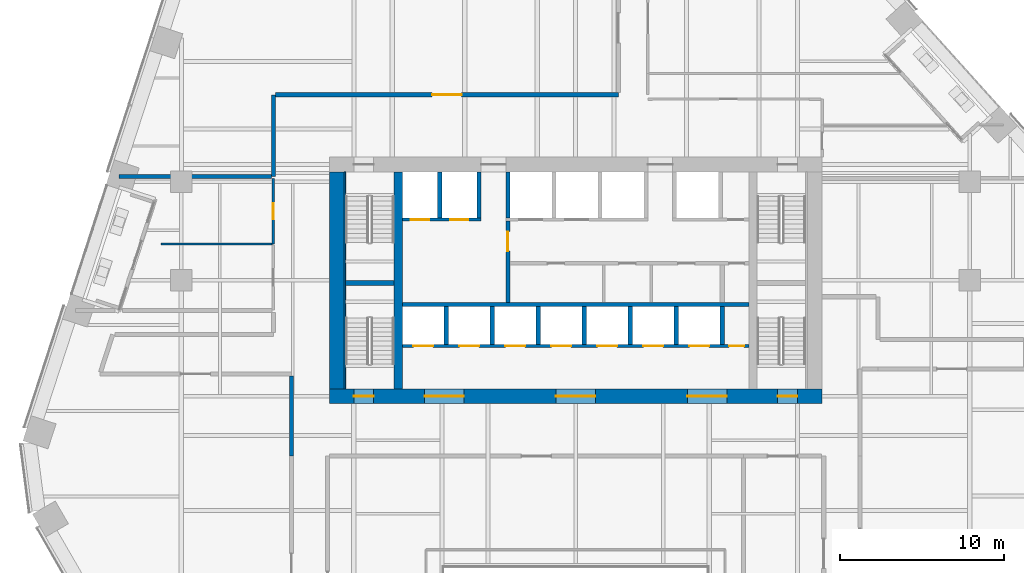
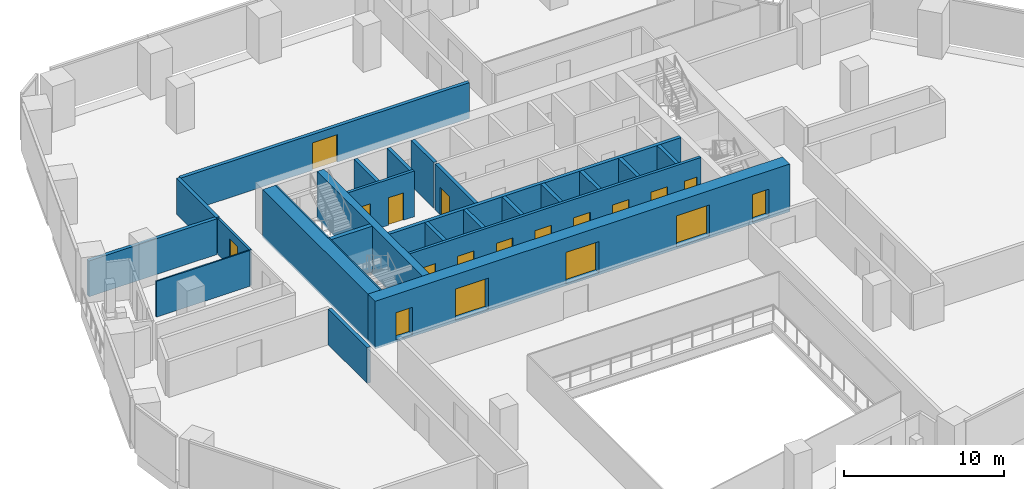
# One storey, part 21 of 28: 25 walls, 18 doors, 18 openings.
"""IFC4 building model written with IfcOpenShell, lengths in metres."""

from ifc_helpers import new_model, si_unit, direction, frame, frame_2d, origin, place, context, subcontext, project, spatial, rectangle, extrude, material, layer, layer_set, type_object, element, fill, save


model = new_model("IFC4")

# Units and contexts
model_context = context("Model", 3, precision=1e-05, world=origin(), true_north=direction((0.0, 1.0)))
body_context = subcontext(model_context, "Body", "Model", "MODEL_VIEW")
ifc_project = project(units=[si_unit("LENGTHUNIT", "METRE"), si_unit("AREAUNIT", "SQUARE_METRE"), si_unit("VOLUMEUNIT", "CUBIC_METRE"), si_unit("PLANEANGLEUNIT", "RADIAN"), si_unit("MASSUNIT", "GRAM", prefix="KILO")], contexts=[model_context])

# Site, building, storey
site_placement = place(None, origin())
site = spatial("IfcSite", under=ifc_project, at=site_placement, CompositionType="ELEMENT")
building_placement = place(site_placement, origin())
building = spatial("IfcBuilding", under=site, at=building_placement, Name="Isthmus Gate Tower", CompositionType="ELEMENT")
storey_placement = place(building_placement, frame((0.0, 0.0, 84.300048828125)))
storey = spatial("IfcBuildingStorey", under=building, at=storey_placement, Name="L19", CompositionType="ELEMENT", Elevation=84.300048828125)

# Wall
ifc_material_1 = material(Name="Double-leaf acoustic stud wall, fire-rated", Category="gypsum")
ifc_layer_1 = layer(ifc_material_1, 0.25)
ifc_layer_set_1 = layer_set([ifc_layer_1], Name="ACOUSTIC WALL 250 60 MIN")
wall_type_1 = type_object("IfcWallType", Name="ACOUSTIC WALL 250 60 MIN", PredefinedType="PARTITIONING", material=ifc_layer_set_1)
wall_1_placement = place(storey_placement, frame((-18.39990234375, 13.830078125, 0.0), z_axis=(0.0, 0.0, 1.0), x_axis=(0.0, 1.0, 0.0)))
element("IfcWall", 1, at=wall_1_placement, inside=storey, type_object=wall_type_1, Name="L19 Acoustic Wall 250 60 Min", PredefinedType="PARTITIONING", context=body_context, shape_type="SweptSolid", body=[
    extrude(rectangle(XDim=4.969970703125, YDim=0.25, at=frame_2d((2.48486328125, 0.0))), origin(), (0.0, 0.0, 1.0), 2.7412109375),
])

# Wall, opening, door
wall_2_placement = place(storey_placement, frame((-18.27490234375, 18.800048828125, 0.0), z_axis=(0.0, 0.0, 1.0), x_axis=(1.0, 0.0, 0.0)))
wall_2 = element("IfcWall", 2, at=wall_2_placement, inside=storey, type_object=wall_type_1, Name="L19 Acoustic Wall 250 60 Min", PredefinedType="PARTITIONING", context=body_context, shape_type="SweptSolid", body=[
    extrude(rectangle(XDim=20.875, YDim=0.25, at=frame_2d((10.4375, 0.0))), origin(), (0.0, 0.0, 1.0), 2.7412109375),
])
opening_1_placement = place(wall_2_placement, frame((9.53759765625, 0.0, 0.0)))
opening_1 = element("IfcOpeningElement", 3, at=opening_1_placement, cuts=wall_2, Name="Opening DT-T2A-01", PredefinedType="OPENING", context=body_context, shape_type="SweptSolid", body=[
    extrude(rectangle(XDim=1.800048828125, YDim=2.10009765625, at=frame_2d((0.89990234375, 1.050048828125))), frame((0.0, 0.135009765625, 0.0), z_axis=(0.0, -1.0, 0.0), x_axis=(1.0, 0.0, 0.0)), (0.0, 0.0, 1.0), 0.27001953125),
])
ifc_material_2 = material(Name="Solid core timber door leaf, fire-rated", Category="wood")
door_type_1 = type_object("IfcDoorType", Name="FIRE DOOR ACOUSTIC ROOM 1800 X 2100 60 MIN", OperationType="DOUBLE_DOOR_DOUBLE_SWING", PredefinedType="DOOR", material=ifc_material_2)
door_1_placement = place(opening_1_placement, origin())
door_1 = element("IfcDoor", 4, at=door_1_placement, inside=storey, type_object=door_type_1, Name="L19 room door", OperationType="DOUBLE_DOOR_DOUBLE_SWING", OverallHeight=2.10009765625, OverallWidth=1.800048828125, PredefinedType="DOOR", context=body_context, shape_type="SweptSolid", body=[
    extrude(rectangle(XDim=1.800048828125, YDim=2.10009765625, at=frame_2d((0.89990234375, 1.050048828125))), frame((0.0, 0.02490234375, 0.0), z_axis=(0.0, -1.0, 0.0), x_axis=(1.0, 0.0, 0.0)), (0.0, 0.0, 1.0), 0.050048828125),
])
fill(opening_1, door_1)

# Walls
wall_3_placement = place(storey_placement, frame((-27.787109375, 13.830078125, 0.0), z_axis=(0.0, 0.0, 1.0), x_axis=(1.0, 0.0, 0.0)))
element("IfcWall", 5, at=wall_3_placement, inside=storey, type_object=wall_type_1, Name="L19 Acoustic Wall 250 60 Min", PredefinedType="PARTITIONING", context=body_context, shape_type="SweptSolid", body=[
    extrude(rectangle(XDim=9.26220703125, YDim=0.25, at=frame_2d((4.631103515625, 0.0))), origin(), (0.0, 0.0, 1.0), 2.7412109375),
])
wall_4_placement = place(storey_placement, frame((-17.298095703125, -3.201904296875, 0.0), z_axis=(0.0, 0.0, 1.0), x_axis=(0.0, 1.0, 0.0)))
element("IfcWall", 6, at=wall_4_placement, inside=storey, type_object=wall_type_1, Name="L19 Acoustic Wall 250 60 Min", PredefinedType="PARTITIONING", context=body_context, shape_type="SweptSolid", body=[
    extrude(rectangle(XDim=4.87890625, YDim=0.25, at=frame_2d((2.439453125, 0.0))), origin(), (0.0, 0.0, 1.0), 2.7412109375),
])

# Wall, opening, door
ifc_material_3 = material(Name="Gypsum board on steel studs, fire-rated", Category="steel")
ifc_layer_2 = layer(ifc_material_3, 0.14990234375)
ifc_layer_set_2 = layer_set([ifc_layer_2], Name="CORRIDOR WALL 150 60 MIN")
wall_type_2 = type_object("IfcWallType", Name="CORRIDOR WALL 150 60 MIN", PredefinedType="PARTITIONING", material=ifc_layer_set_2)
wall_5_placement = place(storey_placement, frame((-18.39990234375, 9.714111328125, 0.0), z_axis=(0.0, 0.0, 1.0), x_axis=(0.0, 1.0, 0.0)))
wall_5 = element("IfcWall", 7, at=wall_5_placement, inside=storey, type_object=wall_type_2, Name="L19 Corridor Wall 150 60 Min", PredefinedType="PARTITIONING", context=body_context, shape_type="SweptSolid", body=[
    extrude(rectangle(XDim=3.990966796875, YDim=0.14990234375, at=frame_2d((1.99560546875, 0.0))), origin(), (0.0, 0.0, 1.0), 2.7412109375),
])
opening_2_placement = place(wall_5_placement, frame((1.49560546875, 0.0, 0.0)))
opening_2 = element("IfcOpeningElement", 8, at=opening_2_placement, cuts=wall_5, Name="Opening DT-T2A-06", PredefinedType="OPENING", context=body_context, shape_type="SweptSolid", body=[
    extrude(rectangle(XDim=1.0, YDim=2.10009765625, at=frame_2d((0.5, 1.050048828125))), frame((0.0, 0.0849609375, 0.0), z_axis=(0.0, -1.0, 0.0), x_axis=(1.0, 0.0, 0.0)), (0.0, 0.0, 1.0), 0.169921875),
])
ifc_material_4 = material(Name="Solid core timber door leaf, fire-rated", Category="wood")
door_type_2 = type_object("IfcDoorType", Name="FIRE DOOR ROOM 1000 X 2100 60 MIN", OperationType="SINGLE_SWING_LEFT", PredefinedType="DOOR", material=ifc_material_4)
door_2_placement = place(opening_2_placement, origin())
door_2 = element("IfcDoor", 9, at=door_2_placement, inside=storey, type_object=door_type_2, Name="L19 room door", OperationType="SINGLE_SWING_RIGHT", OverallHeight=2.10009765625, OverallWidth=1.0, PredefinedType="DOOR", context=body_context, shape_type="SweptSolid", body=[
    extrude(rectangle(XDim=1.0, YDim=2.10009765625, at=frame_2d((0.5, 1.050048828125))), frame((0.0, 0.02490234375, 0.0), z_axis=(0.0, -1.0, 0.0), x_axis=(1.0, 0.0, 0.0)), (0.0, 0.0, 1.0), 0.050048828125),
])
fill(opening_2, door_2)

ifc_material_5 = material(Name="Fire-rated blockwork masonry, 15 MPa", Category="masonry")
ifc_layer_3 = layer(ifc_material_5, 0.25)
ifc_layer_set_3 = layer_set([ifc_layer_3], Name="FIRE-FIGHTING LOBBY WALL 250 90 MIN")
wall_type_3 = type_object("IfcWallType", Name="FIRE-FIGHTING LOBBY WALL 250 90 MIN", PredefinedType="PARTITIONING", material=ifc_layer_set_3)
wall_6_placement = place(storey_placement, frame((-4.125, 6.14990234375, 0.0), z_axis=(0.0, 0.0, 1.0), x_axis=(0.0, 1.0, 0.0)))
wall_6 = element("IfcWall", 10, at=wall_6_placement, inside=storey, type_object=wall_type_3, Name="L19 FIRE-FIGHTING LOBBY WALL 250 90 MIN", PredefinedType="PARTITIONING", context=body_context, shape_type="SweptSolid", body=[
    extrude(rectangle(XDim=4.9501953125, YDim=0.25, at=frame_2d((2.47509765625, 0.0))), origin(), (0.0, 0.0, 1.0), 3.5),
])
opening_3_placement = place(wall_6_placement, frame((3.125, 0.0, 0.0)))
opening_3 = element("IfcOpeningElement", 11, at=opening_3_placement, cuts=wall_6, Name="Opening DC-A04-01", PredefinedType="OPENING", context=body_context, shape_type="SweptSolid", body=[
    extrude(rectangle(XDim=1.199951171875, YDim=2.10009765625, at=frame_2d((0.60009765625, 1.050048828125))), frame((0.0, 0.135009765625, 0.0), z_axis=(0.0, -1.0, 0.0), x_axis=(1.0, 0.0, 0.0)), (0.0, 0.0, 1.0), 0.27001953125),
])
ifc_material_6 = material(Name="Steel door leaf, fire-rated", Category="steel")
door_type_3 = type_object("IfcDoorType", Name="LOBBY FIRE DOOR 1200 X 2100 90 MIN", OperationType="DOUBLE_DOOR_SINGLE_SWING", PredefinedType="DOOR", material=ifc_material_6)
door_3_placement = place(opening_3_placement, origin())
door_3 = element("IfcDoor", 12, at=door_3_placement, inside=storey, type_object=door_type_3, Name="Fire-fighting Lobby Door", OperationType="SINGLE_SWING_LEFT", OverallHeight=2.10009765625, OverallWidth=1.199951171875, PredefinedType="DOOR", context=body_context, shape_type="SweptSolid", body=[
    extrude(rectangle(XDim=1.199951171875, YDim=2.10009765625, at=frame_2d((0.60009765625, 1.050048828125))), frame((0.0, 0.02490234375, 0.0), z_axis=(0.0, -1.0, 0.0), x_axis=(1.0, 0.0, 0.0)), (0.0, 0.0, 1.0), 0.050048828125),
])
fill(opening_3, door_3)

# Wall
ifc_material_7 = material(Name="Concrete f'c 70 MPa", Category="concrete")
ifc_layer_4 = layer(ifc_material_7, 0.5)
ifc_layer_set_4 = layer_set([ifc_layer_4], Name="RC CORE SPINE WALL 500 F'C 70")
wall_type_4 = type_object("IfcWallType", Name="RC CORE SPINE WALL 500 F'C 70", PredefinedType="SOLIDWALL", material=ifc_layer_set_4)
wall_7_placement = place(storey_placement, frame((-10.800048828125, 0.89990234375, -0.150146484375), z_axis=(0.0, 0.0, 1.0), x_axis=(0.0, 1.0, 0.0)))
element("IfcWall", 13, at=wall_7_placement, inside=storey, type_object=wall_type_4, Name="str-corewall-L19-SPW", PredefinedType="SOLIDWALL", context=body_context, shape_type="SweptSolid", body=[
    extrude(rectangle(XDim=13.2001953125, YDim=0.5, at=frame_2d((6.60009765625, 0.0))), origin(), (0.0, 0.0, 1.0), 3.650146484375),
])

# Wall, openings, doors
ifc_material_8 = material(Name="Concrete f'c 70 MPa", Category="concrete")
ifc_layer_5 = layer(ifc_material_8, 0.89990234375)
ifc_layer_set_5 = layer_set([ifc_layer_5], Name="RC CORE WALL 900 F'C 70")
wall_type_5 = type_object("IfcWallType", Name="RC CORE WALL 900 F'C 70", PredefinedType="SOLIDWALL", material=ifc_layer_set_5)
wall_8_placement = place(storey_placement, frame((-15.0, 0.449951171875, -0.150146484375), z_axis=(0.0, 0.0, 1.0), x_axis=(1.0, 0.0, 0.0)))
wall_8 = element("IfcWall", 14, at=wall_8_placement, inside=storey, type_object=wall_type_5, Name="str-corewall-L19-S", PredefinedType="SOLIDWALL", context=body_context, shape_type="SweptSolid", body=[
    extrude(rectangle(XDim=30.0, YDim=0.89990234375, at=frame_2d((15.0, 0.0))), origin(), (0.0, 0.0, 1.0), 3.650146484375),
])
opening_4_placement = place(wall_8_placement, frame((5.800048828125, 0.0, 0.14990234375)))
opening_4 = element("IfcOpeningElement", 15, at=opening_4_placement, cuts=wall_8, Name="Opening DC-A04-08", PredefinedType="OPENING", context=body_context, shape_type="SweptSolid", body=[
    extrude(rectangle(XDim=2.39990234375, YDim=2.39990234375, at=frame_2d((1.199951171875, 1.199951171875))), frame((0.0, 0.4599609375, 0.0), z_axis=(0.0, -1.0, 0.0), x_axis=(1.0, 0.0, 0.0)), (0.0, 0.0, 1.0), 0.919921875),
])
opening_5_placement = place(wall_8_placement, frame((13.800048828125, 0.0, 0.14990234375)))
opening_5 = element("IfcOpeningElement", 16, at=opening_5_placement, cuts=wall_8, Name="Opening DC-A04-09", PredefinedType="OPENING", context=body_context, shape_type="SweptSolid", body=[
    extrude(rectangle(XDim=2.39990234375, YDim=2.39990234375, at=frame_2d((1.199951171875, 1.199951171875))), frame((0.0, 0.4599609375, 0.0), z_axis=(0.0, -1.0, 0.0), x_axis=(1.0, 0.0, 0.0)), (0.0, 0.0, 1.0), 0.919921875),
])
opening_6_placement = place(wall_8_placement, frame((21.800048828125, 0.0, 0.14990234375)))
opening_6 = element("IfcOpeningElement", 17, at=opening_6_placement, cuts=wall_8, Name="Opening DC-A04-10", PredefinedType="OPENING", context=body_context, shape_type="SweptSolid", body=[
    extrude(rectangle(XDim=2.39990234375, YDim=2.39990234375, at=frame_2d((1.199951171875, 1.199951171875))), frame((0.0, 0.4599609375, 0.0), z_axis=(0.0, -1.0, 0.0), x_axis=(1.0, 0.0, 0.0)), (0.0, 0.0, 1.0), 0.919921875),
])
opening_7_placement = place(wall_8_placement, frame((1.5, 0.0, 0.14990234375)))
opening_7 = element("IfcOpeningElement", 18, at=opening_7_placement, cuts=wall_8, Name="Opening DC-A04-15", PredefinedType="OPENING", context=body_context, shape_type="SweptSolid", body=[
    extrude(rectangle(XDim=1.199951171875, YDim=2.10009765625, at=frame_2d((0.60009765625, 1.050048828125))), frame((0.0, 0.4599609375, 0.0), z_axis=(0.0, -1.0, 0.0), x_axis=(1.0, 0.0, 0.0)), (0.0, 0.0, 1.0), 0.919921875),
])
opening_8_placement = place(wall_8_placement, frame((27.300048828125, 0.0, 0.14990234375)))
opening_8 = element("IfcOpeningElement", 19, at=opening_8_placement, cuts=wall_8, Name="Opening DC-A04-16", PredefinedType="OPENING", context=body_context, shape_type="SweptSolid", body=[
    extrude(rectangle(XDim=1.199951171875, YDim=2.10009765625, at=frame_2d((0.60009765625, 1.050048828125))), frame((0.0, 0.4599609375, 0.0), z_axis=(0.0, -1.0, 0.0), x_axis=(1.0, 0.0, 0.0)), (0.0, 0.0, 1.0), 0.919921875),
])
ifc_material_9 = material(Name="Laminated safety glass in steel frame, fire-rated", Category="steel")
door_type_4 = type_object("IfcDoorType", Name="LOBBY ENTRANCE FIRE DOOR 2400 X 2400 60 MIN", OperationType="DOUBLE_DOOR_DOUBLE_SWING", PredefinedType="DOOR", material=ifc_material_9)
door_4_placement = place(opening_4_placement, origin())
door_4 = element("IfcDoor", 20, at=door_4_placement, inside=storey, type_object=door_type_4, Name="Lobby Entrance PS-W", OperationType="DOUBLE_DOOR_DOUBLE_SWING", OverallHeight=2.39990234375, OverallWidth=2.39990234375, PredefinedType="DOOR", context=body_context, shape_type="SweptSolid", body=[
    extrude(rectangle(XDim=2.39990234375, YDim=2.39990234375, at=frame_2d((1.199951171875, 1.199951171875))), frame((0.0, 0.02490234375, 0.0), z_axis=(0.0, -1.0, 0.0), x_axis=(1.0, 0.0, 0.0)), (0.0, 0.0, 1.0), 0.050048828125),
])
fill(opening_4, door_4)
door_5_placement = place(opening_5_placement, origin())
door_5 = element("IfcDoor", 21, at=door_5_placement, inside=storey, type_object=door_type_4, Name="Lobby Entrance PS-C", OperationType="DOUBLE_DOOR_DOUBLE_SWING", OverallHeight=2.39990234375, OverallWidth=2.39990234375, PredefinedType="DOOR", context=body_context, shape_type="SweptSolid", body=[
    extrude(rectangle(XDim=2.39990234375, YDim=2.39990234375, at=frame_2d((1.199951171875, 1.199951171875))), frame((0.0, 0.02490234375, 0.0), z_axis=(0.0, -1.0, 0.0), x_axis=(1.0, 0.0, 0.0)), (0.0, 0.0, 1.0), 0.050048828125),
])
fill(opening_5, door_5)
door_6_placement = place(opening_6_placement, origin())
door_6 = element("IfcDoor", 22, at=door_6_placement, inside=storey, type_object=door_type_4, Name="Lobby Entrance PS-E", OperationType="DOUBLE_DOOR_DOUBLE_SWING", OverallHeight=2.39990234375, OverallWidth=2.39990234375, PredefinedType="DOOR", context=body_context, shape_type="SweptSolid", body=[
    extrude(rectangle(XDim=2.39990234375, YDim=2.39990234375, at=frame_2d((1.199951171875, 1.199951171875))), frame((0.0, 0.02490234375, 0.0), z_axis=(0.0, -1.0, 0.0), x_axis=(1.0, 0.0, 0.0)), (0.0, 0.0, 1.0), 0.050048828125),
])
fill(opening_6, door_6)
ifc_material_10 = material(Name="Steel door leaf, fire-rated", Category="steel")
door_type_5 = type_object("IfcDoorType", Name="STAIR FIRE DOOR 1200 X 2100 90 MIN", OperationType="SINGLE_SWING_LEFT", PredefinedType="DOOR", material=ifc_material_10)
door_7_placement = place(opening_7_placement, origin())
door_7 = element("IfcDoor", 23, at=door_7_placement, inside=storey, type_object=door_type_5, Name="Exit Stair 7 Door", OperationType="SINGLE_SWING_LEFT", OverallHeight=2.10009765625, OverallWidth=1.199951171875, PredefinedType="DOOR", context=body_context, shape_type="SweptSolid", body=[
    extrude(rectangle(XDim=1.199951171875, YDim=2.10009765625, at=frame_2d((0.60009765625, 1.050048828125))), frame((0.0, 0.02490234375, 0.0), z_axis=(0.0, -1.0, 0.0), x_axis=(1.0, 0.0, 0.0)), (0.0, 0.0, 1.0), 0.050048828125),
])
fill(opening_7, door_7)
door_8_placement = place(opening_8_placement, origin())
door_8 = element("IfcDoor", 24, at=door_8_placement, inside=storey, type_object=door_type_5, Name="Exit Stair 8 Door", OperationType="SINGLE_SWING_RIGHT", OverallHeight=2.10009765625, OverallWidth=1.199951171875, PredefinedType="DOOR", context=body_context, shape_type="SweptSolid", body=[
    extrude(rectangle(XDim=1.199951171875, YDim=2.10009765625, at=frame_2d((0.60009765625, 1.050048828125))), frame((0.0, 0.02490234375, 0.0), z_axis=(0.0, -1.0, 0.0), x_axis=(1.0, 0.0, 0.0)), (0.0, 0.0, 1.0), 0.050048828125),
])
fill(opening_8, door_8)

# Walls
wall_9_placement = place(storey_placement, frame((-14.550048828125, 0.89990234375, -0.150146484375), z_axis=(0.0, 0.0, 1.0), x_axis=(0.0, 1.0, 0.0)))
element("IfcWall", 25, at=wall_9_placement, inside=storey, type_object=wall_type_5, Name="str-corewall-L19-W", PredefinedType="SOLIDWALL", context=body_context, shape_type="SweptSolid", body=[
    extrude(rectangle(XDim=13.2001953125, YDim=0.89990234375, at=frame_2d((6.60009765625, 0.0))), origin(), (0.0, 0.0, 1.0), 3.650146484375),
])
ifc_material_11 = material(Name="Gypsum board on steel studs, fire-rated", Category="steel")
ifc_layer_6 = layer(ifc_material_11, 0.10009765625)
ifc_layer_set_6 = layer_set([ifc_layer_6], Name="ROOM PARTITION 100 30 MIN")
wall_type_6 = type_object("IfcWallType", Name="ROOM PARTITION 100 30 MIN", PredefinedType="PARTITIONING", material=ifc_layer_set_6)
wall_10_placement = place(storey_placement, frame((-25.237060546875, 9.714111328125, 0.0), z_axis=(0.0, 0.0, 1.0), x_axis=(1.0, 0.0, 0.0)))
element("IfcWall", 26, at=wall_10_placement, inside=storey, type_object=wall_type_6, Name="L19 Room Partition 100 30 Min", PredefinedType="PARTITIONING", context=body_context, shape_type="SweptSolid", body=[
    extrude(rectangle(XDim=6.761962890625, YDim=0.10009765625, at=frame_2d((3.380859375, 0.0))), origin(), (0.0, 0.0, 1.0), 2.7412109375),
])

# Wall, openings, doors
ifc_material_12 = material(Name="Fire-rated blockwork masonry, 15 MPa", Category="masonry")
ifc_layer_7 = layer(ifc_material_12, 0.199951171875)
ifc_layer_set_7 = layer_set([ifc_layer_7], Name="SHAFT FRONT WALL 200 120 MIN")
wall_type_7 = type_object("IfcWallType", Name="SHAFT FRONT WALL 200 120 MIN", PredefinedType="PARTITIONING", material=ifc_layer_set_7)
wall_11_placement = place(storey_placement, frame((-10.550048828125, 3.5, 0.0), z_axis=(0.0, 0.0, 1.0), x_axis=(1.0, 0.0, 0.0)))
wall_11 = element("IfcWall", 27, at=wall_11_placement, inside=storey, type_object=wall_type_7, Name="L19 SHAFT FRONT WALL 200 120 MIN", PredefinedType="PARTITIONING", context=body_context, shape_type="SweptSolid", body=[
    extrude(rectangle(XDim=21.10009765625, YDim=0.199951171875, at=frame_2d((10.550048828125, 0.0))), origin(), (0.0, 0.0, 1.0), 3.5),
])
opening_9_placement = place(wall_11_placement, frame((0.675048828125, 0.0, 0.0)))
opening_9 = element("IfcOpeningElement", 28, at=opening_9_placement, cuts=wall_11, Name="Opening LD-LA1", PredefinedType="OPENING", context=body_context, shape_type="SweptSolid", body=[
    extrude(rectangle(XDim=1.199951171875, YDim=2.10009765625, at=frame_2d((0.60009765625, 1.050048828125))), frame((0.0, 0.10986328125, 0.0), z_axis=(0.0, -1.0, 0.0), x_axis=(1.0, 0.0, 0.0)), (0.0, 0.0, 1.0), 0.219970703125),
])
opening_10_placement = place(wall_11_placement, frame((3.47509765625, 0.0, 0.0)))
opening_10 = element("IfcOpeningElement", 29, at=opening_10_placement, cuts=wall_11, Name="Opening LD-LA2", PredefinedType="OPENING", context=body_context, shape_type="SweptSolid", body=[
    extrude(rectangle(XDim=1.199951171875, YDim=2.10009765625, at=frame_2d((0.60009765625, 1.050048828125))), frame((0.0, 0.10986328125, 0.0), z_axis=(0.0, -1.0, 0.0), x_axis=(1.0, 0.0, 0.0)), (0.0, 0.0, 1.0), 0.219970703125),
])
opening_11_placement = place(wall_11_placement, frame((6.27490234375, 0.0, 0.0)))
opening_11 = element("IfcOpeningElement", 30, at=opening_11_placement, cuts=wall_11, Name="Opening LD-LA3", PredefinedType="OPENING", context=body_context, shape_type="SweptSolid", body=[
    extrude(rectangle(XDim=1.199951171875, YDim=2.10009765625, at=frame_2d((0.60009765625, 1.050048828125))), frame((0.0, 0.10986328125, 0.0), z_axis=(0.0, -1.0, 0.0), x_axis=(1.0, 0.0, 0.0)), (0.0, 0.0, 1.0), 0.219970703125),
])
opening_12_placement = place(wall_11_placement, frame((9.074951171875, 0.0, 0.0)))
opening_12 = element("IfcOpeningElement", 31, at=opening_12_placement, cuts=wall_11, Name="Opening LD-LA4", PredefinedType="OPENING", context=body_context, shape_type="SweptSolid", body=[
    extrude(rectangle(XDim=1.199951171875, YDim=2.10009765625, at=frame_2d((0.60009765625, 1.050048828125))), frame((0.0, 0.10986328125, 0.0), z_axis=(0.0, -1.0, 0.0), x_axis=(1.0, 0.0, 0.0)), (0.0, 0.0, 1.0), 0.219970703125),
])
opening_13_placement = place(wall_11_placement, frame((11.875, 0.0, 0.0)))
opening_13 = element("IfcOpeningElement", 32, at=opening_13_placement, cuts=wall_11, Name="Opening LD-LA5", PredefinedType="OPENING", context=body_context, shape_type="SweptSolid", body=[
    extrude(rectangle(XDim=1.199951171875, YDim=2.10009765625, at=frame_2d((0.60009765625, 1.050048828125))), frame((0.0, 0.10986328125, 0.0), z_axis=(0.0, -1.0, 0.0), x_axis=(1.0, 0.0, 0.0)), (0.0, 0.0, 1.0), 0.219970703125),
])
opening_14_placement = place(wall_11_placement, frame((14.675048828125, 0.0, 0.0)))
opening_14 = element("IfcOpeningElement", 33, at=opening_14_placement, cuts=wall_11, Name="Opening LD-LA6", PredefinedType="OPENING", context=body_context, shape_type="SweptSolid", body=[
    extrude(rectangle(XDim=1.199951171875, YDim=2.10009765625, at=frame_2d((0.60009765625, 1.050048828125))), frame((0.0, 0.10986328125, 0.0), z_axis=(0.0, -1.0, 0.0), x_axis=(1.0, 0.0, 0.0)), (0.0, 0.0, 1.0), 0.219970703125),
])
opening_15_placement = place(wall_11_placement, frame((17.47509765625, 0.0, 0.0)))
opening_15 = element("IfcOpeningElement", 34, at=opening_15_placement, cuts=wall_11, Name="Opening LD-LA7", PredefinedType="OPENING", context=body_context, shape_type="SweptSolid", body=[
    extrude(rectangle(XDim=1.199951171875, YDim=2.10009765625, at=frame_2d((0.60009765625, 1.050048828125))), frame((0.0, 0.10986328125, 0.0), z_axis=(0.0, -1.0, 0.0), x_axis=(1.0, 0.0, 0.0)), (0.0, 0.0, 1.0), 0.219970703125),
])
opening_16_placement = place(wall_11_placement, frame((19.89990234375, 0.0, 0.0)))
opening_16 = element("IfcOpeningElement", 35, at=opening_16_placement, cuts=wall_11, Name="Opening DC-A04-02", PredefinedType="OPENING", context=body_context, shape_type="SweptSolid", body=[
    extrude(rectangle(XDim=0.89990234375, YDim=2.10009765625, at=frame_2d((0.449951171875, 1.050048828125))), frame((0.0, 0.10986328125, 0.0), z_axis=(0.0, -1.0, 0.0), x_axis=(1.0, 0.0, 0.0)), (0.0, 0.0, 1.0), 0.219970703125),
])
ifc_material_13 = material(Name="Stainless steel sliding leaf", Category="steel")
door_type_6 = type_object("IfcDoorType", Name="LIFT LANDING FIRE DOOR 1200 X 2100 90 MIN", OperationType="DOUBLE_DOOR_SLIDING", PredefinedType="DOOR", material=ifc_material_13)
door_9_placement = place(opening_9_placement, origin())
door_9 = element("IfcDoor", 36, at=door_9_placement, inside=storey, type_object=door_type_6, Name="Lift Landing Door LA1", OperationType="DOUBLE_DOOR_SLIDING", OverallHeight=2.10009765625, OverallWidth=1.199951171875, PredefinedType="DOOR", context=body_context, shape_type="SweptSolid", body=[
    extrude(rectangle(XDim=1.199951171875, YDim=2.10009765625, at=frame_2d((0.60009765625, 1.050048828125))), frame((0.0, 0.02490234375, 0.0), z_axis=(0.0, -1.0, 0.0), x_axis=(1.0, 0.0, 0.0)), (0.0, 0.0, 1.0), 0.050048828125),
])
fill(opening_9, door_9)
door_10_placement = place(opening_10_placement, origin())
door_10 = element("IfcDoor", 37, at=door_10_placement, inside=storey, type_object=door_type_6, Name="Lift Landing Door LA2", OperationType="DOUBLE_DOOR_SLIDING", OverallHeight=2.10009765625, OverallWidth=1.199951171875, PredefinedType="DOOR", context=body_context, shape_type="SweptSolid", body=[
    extrude(rectangle(XDim=1.199951171875, YDim=2.10009765625, at=frame_2d((0.60009765625, 1.050048828125))), frame((0.0, 0.02490234375, 0.0), z_axis=(0.0, -1.0, 0.0), x_axis=(1.0, 0.0, 0.0)), (0.0, 0.0, 1.0), 0.050048828125),
])
fill(opening_10, door_10)
door_11_placement = place(opening_11_placement, origin())
door_11 = element("IfcDoor", 38, at=door_11_placement, inside=storey, type_object=door_type_6, Name="Lift Landing Door LA3", OperationType="DOUBLE_DOOR_SLIDING", OverallHeight=2.10009765625, OverallWidth=1.199951171875, PredefinedType="DOOR", context=body_context, shape_type="SweptSolid", body=[
    extrude(rectangle(XDim=1.199951171875, YDim=2.10009765625, at=frame_2d((0.60009765625, 1.050048828125))), frame((0.0, 0.02490234375, 0.0), z_axis=(0.0, -1.0, 0.0), x_axis=(1.0, 0.0, 0.0)), (0.0, 0.0, 1.0), 0.050048828125),
])
fill(opening_11, door_11)
door_12_placement = place(opening_12_placement, origin())
door_12 = element("IfcDoor", 39, at=door_12_placement, inside=storey, type_object=door_type_6, Name="Lift Landing Door LA4", OperationType="DOUBLE_DOOR_SLIDING", OverallHeight=2.10009765625, OverallWidth=1.199951171875, PredefinedType="DOOR", context=body_context, shape_type="SweptSolid", body=[
    extrude(rectangle(XDim=1.199951171875, YDim=2.10009765625, at=frame_2d((0.60009765625, 1.050048828125))), frame((0.0, 0.02490234375, 0.0), z_axis=(0.0, -1.0, 0.0), x_axis=(1.0, 0.0, 0.0)), (0.0, 0.0, 1.0), 0.050048828125),
])
fill(opening_12, door_12)
door_13_placement = place(opening_13_placement, origin())
door_13 = element("IfcDoor", 40, at=door_13_placement, inside=storey, type_object=door_type_6, Name="Lift Landing Door LA5", OperationType="DOUBLE_DOOR_SLIDING", OverallHeight=2.10009765625, OverallWidth=1.199951171875, PredefinedType="DOOR", context=body_context, shape_type="SweptSolid", body=[
    extrude(rectangle(XDim=1.199951171875, YDim=2.10009765625, at=frame_2d((0.60009765625, 1.050048828125))), frame((0.0, 0.02490234375, 0.0), z_axis=(0.0, -1.0, 0.0), x_axis=(1.0, 0.0, 0.0)), (0.0, 0.0, 1.0), 0.050048828125),
])
fill(opening_13, door_13)
door_14_placement = place(opening_14_placement, origin())
door_14 = element("IfcDoor", 41, at=door_14_placement, inside=storey, type_object=door_type_6, Name="Lift Landing Door LA6", OperationType="DOUBLE_DOOR_SLIDING", OverallHeight=2.10009765625, OverallWidth=1.199951171875, PredefinedType="DOOR", context=body_context, shape_type="SweptSolid", body=[
    extrude(rectangle(XDim=1.199951171875, YDim=2.10009765625, at=frame_2d((0.60009765625, 1.050048828125))), frame((0.0, 0.02490234375, 0.0), z_axis=(0.0, -1.0, 0.0), x_axis=(1.0, 0.0, 0.0)), (0.0, 0.0, 1.0), 0.050048828125),
])
fill(opening_14, door_14)
door_15_placement = place(opening_15_placement, origin())
door_15 = element("IfcDoor", 42, at=door_15_placement, inside=storey, type_object=door_type_6, Name="Lift Landing Door LA7", OperationType="DOUBLE_DOOR_SLIDING", OverallHeight=2.10009765625, OverallWidth=1.199951171875, PredefinedType="DOOR", context=body_context, shape_type="SweptSolid", body=[
    extrude(rectangle(XDim=1.199951171875, YDim=2.10009765625, at=frame_2d((0.60009765625, 1.050048828125))), frame((0.0, 0.02490234375, 0.0), z_axis=(0.0, -1.0, 0.0), x_axis=(1.0, 0.0, 0.0)), (0.0, 0.0, 1.0), 0.050048828125),
])
fill(opening_15, door_15)
ifc_material_14 = material(Name="Steel door leaf, fire-rated", Category="steel")
door_type_7 = type_object("IfcDoorType", Name="RISER FIRE DOOR 900 X 2100 90 MIN", OperationType="SINGLE_SWING_LEFT", PredefinedType="DOOR", material=ifc_material_14)
door_16_placement = place(opening_16_placement, origin())
door_16 = element("IfcDoor", 43, at=door_16_placement, inside=storey, type_object=door_type_7, Name="Riser Door", OperationType="SINGLE_SWING_RIGHT", OverallHeight=2.10009765625, OverallWidth=0.89990234375, PredefinedType="DOOR", context=body_context, shape_type="SweptSolid", body=[
    extrude(rectangle(XDim=0.89990234375, YDim=2.10009765625, at=frame_2d((0.449951171875, 1.050048828125))), frame((0.0, 0.02490234375, 0.0), z_axis=(0.0, -1.0, 0.0), x_axis=(1.0, 0.0, 0.0)), (0.0, 0.0, 1.0), 0.050048828125),
])
fill(opening_16, door_16)

wall_12_placement = place(storey_placement, frame((-10.550048828125, 11.199951171875, 0.0), z_axis=(0.0, 0.0, 1.0), x_axis=(1.0, 0.0, 0.0)))
wall_12 = element("IfcWall", 44, at=wall_12_placement, inside=storey, type_object=wall_type_7, Name="L19 SHAFT FRONT WALL 200 120 MIN", PredefinedType="PARTITIONING", context=body_context, shape_type="SweptSolid", body=[
    extrude(rectangle(XDim=4.800048828125, YDim=0.199951171875, at=frame_2d((2.39990234375, 0.0))), origin(), (0.0, 0.0, 1.0), 3.5),
])
opening_17_placement = place(wall_12_placement, frame((0.52490234375, 0.0, 0.0)))
opening_17 = element("IfcOpeningElement", 45, at=opening_17_placement, cuts=wall_12, Name="Opening LD-LF1", PredefinedType="OPENING", context=body_context, shape_type="SweptSolid", body=[
    extrude(rectangle(XDim=1.10009765625, YDim=2.10009765625, at=frame_2d((0.550048828125, 1.050048828125))), frame((0.0, 0.10986328125, 0.0), z_axis=(0.0, -1.0, 0.0), x_axis=(1.0, 0.0, 0.0)), (0.0, 0.0, 1.0), 0.219970703125),
])
opening_18_placement = place(wall_12_placement, frame((2.925048828125, 0.0, 0.0)))
opening_18 = element("IfcOpeningElement", 46, at=opening_18_placement, cuts=wall_12, Name="Opening LD-LF2", PredefinedType="OPENING", context=body_context, shape_type="SweptSolid", body=[
    extrude(rectangle(XDim=1.10009765625, YDim=2.10009765625, at=frame_2d((0.550048828125, 1.050048828125))), frame((0.0, 0.10986328125, 0.0), z_axis=(0.0, -1.0, 0.0), x_axis=(1.0, 0.0, 0.0)), (0.0, 0.0, 1.0), 0.219970703125),
])
ifc_material_15 = material(Name="Stainless steel sliding leaf", Category="steel")
door_type_8 = type_object("IfcDoorType", Name="LIFT LANDING FIRE DOOR 1100 X 2100 90 MIN", OperationType="DOUBLE_DOOR_SLIDING", PredefinedType="DOOR", material=ifc_material_15)
door_17_placement = place(opening_17_placement, origin())
door_17 = element("IfcDoor", 47, at=door_17_placement, inside=storey, type_object=door_type_8, Name="Lift Landing Door LF1", OperationType="DOUBLE_DOOR_SLIDING", OverallHeight=2.10009765625, OverallWidth=1.10009765625, PredefinedType="DOOR", context=body_context, shape_type="SweptSolid", body=[
    extrude(rectangle(XDim=1.10009765625, YDim=2.10009765625, at=frame_2d((0.550048828125, 1.050048828125))), frame((0.0, 0.02490234375, 0.0), z_axis=(0.0, -1.0, 0.0), x_axis=(1.0, 0.0, 0.0)), (0.0, 0.0, 1.0), 0.050048828125),
])
fill(opening_17, door_17)
door_18_placement = place(opening_18_placement, origin())
door_18 = element("IfcDoor", 48, at=door_18_placement, inside=storey, type_object=door_type_8, Name="Lift Landing Door LF2", OperationType="DOUBLE_DOOR_SLIDING", OverallHeight=2.10009765625, OverallWidth=1.10009765625, PredefinedType="DOOR", context=body_context, shape_type="SweptSolid", body=[
    extrude(rectangle(XDim=1.10009765625, YDim=2.10009765625, at=frame_2d((0.550048828125, 1.050048828125))), frame((0.0, 0.02490234375, 0.0), z_axis=(0.0, -1.0, 0.0), x_axis=(1.0, 0.0, 0.0)), (0.0, 0.0, 1.0), 0.050048828125),
])
fill(opening_18, door_18)

# Walls
ifc_material_16 = material(Name="Fire-rated blockwork masonry, 15 MPa", Category="masonry")
ifc_layer_8 = layer(ifc_material_16, 0.25)
ifc_layer_set_8 = layer_set([ifc_layer_8], Name="SHAFT WALL 250 120 MIN")
wall_type_8 = type_object("IfcWallType", Name="SHAFT WALL 250 120 MIN", PredefinedType="PARTITIONING", material=ifc_layer_set_8)
wall_13_placement = place(storey_placement, frame((-10.550048828125, 6.02490234375, 0.0), z_axis=(0.0, 0.0, 1.0), x_axis=(1.0, 0.0, 0.0)))
element("IfcWall", 49, at=wall_13_placement, inside=storey, type_object=wall_type_8, Name="L19 SHAFT WALL 250 120 MIN", PredefinedType="PARTITIONING", context=body_context, shape_type="SweptSolid", body=[
    extrude(rectangle(XDim=21.10009765625, YDim=0.25, at=frame_2d((10.550048828125, 0.0))), origin(), (0.0, 0.0, 1.0), 3.5),
])
for number, where, z_axis, x_axis, name in (
    (50, (-7.875, 3.60009765625, 0.0), (0.0, 0.0, 1.0), (0.0, 1.0, 0.0), "L19 SHAFT WALL 250 120 MIN"),
    (51, (-5.074951171875, 3.60009765625, 0.0), (0.0, 0.0, 1.0), (0.0, 1.0, 0.0), "L19 SHAFT WALL 250 120 MIN"),
    (52, (-2.27490234375, 3.60009765625, 0.0), (0.0, 0.0, 1.0), (0.0, 1.0, 0.0), "L19 SHAFT WALL 250 120 MIN"),
    (53, (0.52490234375, 3.60009765625, 0.0), (0.0, 0.0, 1.0), (0.0, 1.0, 0.0), "L19 SHAFT WALL 250 120 MIN"),
    (54, (3.324951171875, 3.60009765625, 0.0), (0.0, 0.0, 1.0), (0.0, 1.0, 0.0), "L19 SHAFT WALL 250 120 MIN"),
    (55, (6.125, 3.60009765625, 0.0), (0.0, 0.0, 1.0), (0.0, 1.0, 0.0), "L19 SHAFT WALL 250 120 MIN"),
    (56, (8.925048828125, 3.60009765625, 0.0), (0.0, 0.0, 1.0), (0.0, 1.0, 0.0), "L19 SHAFT WALL 250 120 MIN"),
):
    element("IfcWall", number, at=place(storey_placement, frame(where, z_axis=z_axis, x_axis=x_axis)), inside=storey, type_object=wall_type_8, Name=name, PredefinedType="PARTITIONING", context=body_context, shape_type="SweptSolid", body=[
        extrude(rectangle(XDim=2.2998046875, YDim=0.25, at=frame_2d((1.14990234375, 0.0))), origin(), (0.0, 0.0, 1.0), 3.5),
    ])
for number, where, z_axis, x_axis, name in (
    (57, (-8.27490234375, 11.300048828125, 0.0), (0.0, 0.0, 1.0), (0.0, 1.0, 0.0), "L19 SHAFT WALL 250 120 MIN"),
    (58, (-5.875, 11.300048828125, 0.0), (0.0, 0.0, 1.0), (0.0, 1.0, 0.0), "L19 SHAFT WALL 250 120 MIN"),
    (59, (-4.125, 11.300048828125, 0.0), (0.0, 0.0, 1.0), (0.0, 1.0, 0.0), "L19 SHAFT WALL 250 120 MIN"),
):
    element("IfcWall", number, at=place(storey_placement, frame(where, z_axis=z_axis, x_axis=x_axis)), inside=storey, type_object=wall_type_8, Name=name, PredefinedType="PARTITIONING", context=body_context, shape_type="SweptSolid", body=[
        extrude(rectangle(XDim=2.800048828125, YDim=0.25, at=frame_2d((1.39990234375, 0.0))), origin(), (0.0, 0.0, 1.0), 3.5),
    ])
ifc_material_17 = material(Name="Concrete f'c 40 MPa", Category="concrete")
ifc_layer_9 = layer(ifc_material_17, 0.10009765625)
ifc_layer_set_9 = layer_set([ifc_layer_9], Name="STAIR ENCLOSURE WALL 100 180 MIN")
wall_type_9 = type_object("IfcWallType", Name="STAIR ENCLOSURE WALL 100 180 MIN", PredefinedType="SOLIDWALL", material=ifc_layer_set_9)
wall_14_placement = place(storey_placement, frame((-14.050048828125, 0.89990234375, 0.0), z_axis=(0.0, 0.0, 1.0), x_axis=(0.0, 1.0, 0.0)))
element("IfcWall", 60, at=wall_14_placement, inside=storey, type_object=wall_type_9, Name="L19 STAIR ENCLOSURE WALL 100 180 MIN", PredefinedType="SOLIDWALL", context=body_context, shape_type="SweptSolid", body=[
    extrude(rectangle(XDim=13.2001953125, YDim=0.10009765625, at=frame_2d((6.60009765625, 0.0))), origin(), (0.0, 0.0, 1.0), 3.5),
])
ifc_material_18 = material(Name="Concrete f'c 40 MPa", Category="concrete")
ifc_layer_10 = layer(ifc_material_18, 0.300048828125)
ifc_layer_set_10 = layer_set([ifc_layer_10], Name="STAIR ENCLOSURE WALL 300 180 MIN")
wall_type_10 = type_object("IfcWallType", Name="STAIR ENCLOSURE WALL 300 180 MIN", PredefinedType="SOLIDWALL", material=ifc_layer_set_10)
wall_15_placement = place(storey_placement, frame((-14.0, 7.35009765625, 0.0), z_axis=(0.0, 0.0, 1.0), x_axis=(1.0, 0.0, 0.0)))
element("IfcWall", 61, at=wall_15_placement, inside=storey, type_object=wall_type_10, Name="L19 STAIR ENCLOSURE WALL 300 180 MIN", PredefinedType="SOLIDWALL", context=body_context, shape_type="SweptSolid", body=[
    extrude(rectangle(XDim=2.949951171875, YDim=0.300048828125, at=frame_2d((1.47509765625, 0.0))), origin(), (0.0, 0.0, 1.0), 3.5),
])

save(model, "model.ifc")
